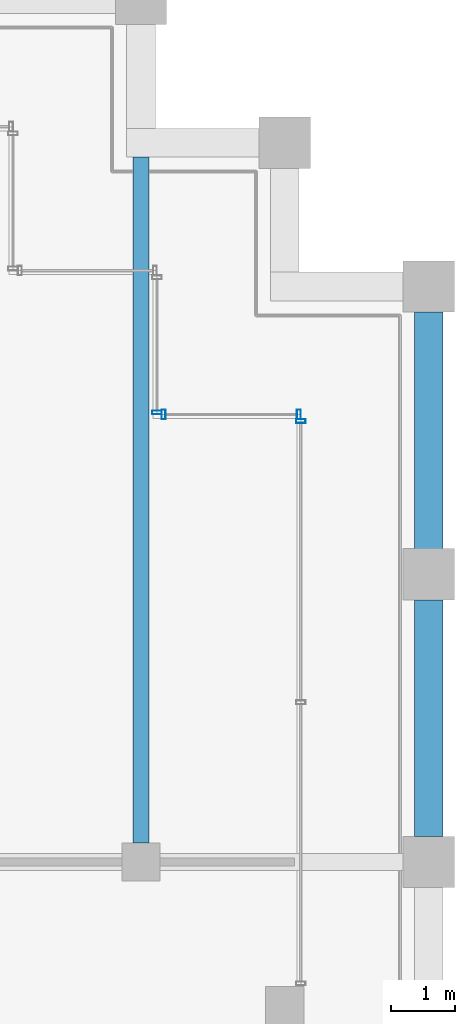
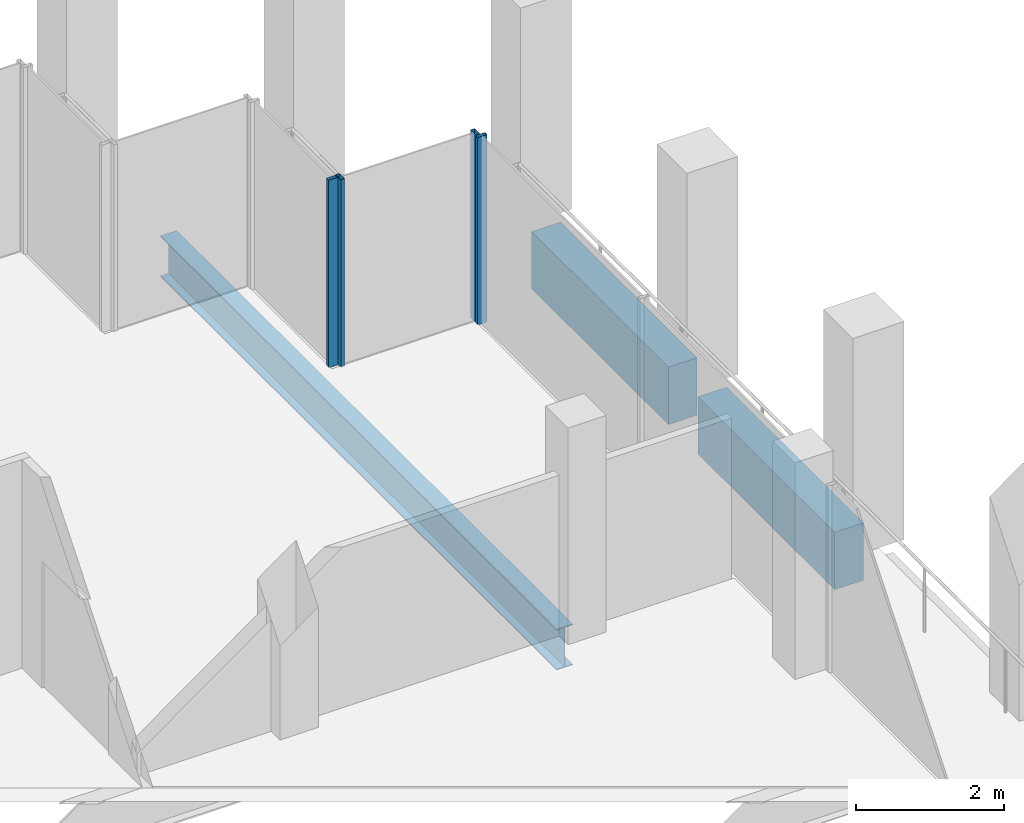
# One storey, part 25 of 30: 4 members, 3 beams, 3 elements without a shape of their own.
"""IFC4 building model written with IfcOpenShell, lengths in metres."""

from ifc_helpers import new_model, si_unit, direction, frame, origin, origin_2d, place, context, subcontext, project, spatial, rectangle, hollow_rectangle, i_section, extrude, material, material_profile, profile_set, type_object, element, aggregate, save


model = new_model("IFC4")

# Units and contexts
model_context = context("Model", 3, precision=1e-05, world=origin(), true_north=direction((0.0, 1.0)))
body_context = subcontext(model_context, "Body", "Model", "MODEL_VIEW")
ifc_project = project(units=[si_unit("LENGTHUNIT", "METRE"), si_unit("AREAUNIT", "SQUARE_METRE"), si_unit("VOLUMEUNIT", "CUBIC_METRE"), si_unit("PLANEANGLEUNIT", "RADIAN"), si_unit("MASSUNIT", "GRAM", prefix="KILO")], contexts=[model_context])

# Site, building, storey
site_placement = place(None, origin())
site = spatial("IfcSite", under=ifc_project, at=site_placement, CompositionType="ELEMENT")
building_placement = place(site_placement, origin())
building = spatial("IfcBuilding", under=site, at=building_placement, Name="Altepetl Exchange Towers", CompositionType="ELEMENT")
storey_placement = place(building_placement, frame((0.0, 0.0, 235.199951171875)))
storey = spatial("IfcBuildingStorey", under=building, at=storey_placement, Name="L60", CompositionType="ELEMENT", Elevation=235.199951171875)

# Beam
ifc_material_1 = material(Name="Steel S355", Category="steel")
ifc_material_profile_1 = material_profile(ifc_material_1, i_section(OverallWidth=0.2529296875, OverallDepth=0.677978515625, WebThickness=0.01171875, FlangeThickness=0.016357421875, at=origin_2d()), Name="W27X84")
ifc_profile_set_1 = profile_set([ifc_material_profile_1], Name="Steel S355")
beam_type_1 = type_object("IfcBeamType", Name="Floor beam W27X84", PredefinedType="BEAM", material=ifc_profile_set_1)
beam_placement = place(storey_placement, frame((67.5, 58.800048828125, -0.489013671875), z_axis=(0.0, 1.0, 0.0), x_axis=(-1.0, 0.0, 0.0)))
element("IfcBeam", 1, at=beam_placement, inside=storey, type_object=beam_type_1, Name="bm:A:L60:005", PredefinedType="BEAM", context=body_context, shape_type="SweptSolid", body=[
    extrude(i_section(OverallWidth=0.2529296875, OverallDepth=0.677978515625, WebThickness=0.01171875, FlangeThickness=0.016357421875, at=origin_2d()), origin(), (0.0, 0.0, 1.0), 10.724853515625),
])

# Curtain wall, member
ifc_material_2 = material(Name="Aluminium 6063-T6 glazing", Category="aluminium")
curtain_wall_type = type_object("IfcCurtainWallType", Name="Loggia glazing system", PredefinedType="NOTDEFINED", material=ifc_material_2)
curtain_wall_1_placement = place(storey_placement, origin())
curtain_wall_1 = element("IfcCurtainWall", 2, at=curtain_wall_1_placement, inside=storey, type_object=curtain_wall_type, Name="CW1 run", PredefinedType="NOTDEFINED")
ifc_material_3 = material(Name="Aluminium 6063-T6", Category="aluminium")
ifc_material_profile_2 = material_profile(ifc_material_3, hollow_rectangle(XDim=0.06005859375, YDim=0.14990234375, WallThickness=0.0029296875, at=origin_2d()), Name="Mullion 60x150 aluminium")
ifc_profile_set_2 = profile_set([ifc_material_profile_2], Name="Aluminium 6063-T6")
member_type = type_object("IfcMemberType", Name="Mullion 60x150 aluminium", PredefinedType="MULLION", material=ifc_profile_set_2)
member_1_placement = place(storey_placement, frame((70.0, 65.39501953125, 0.0), z_axis=(0.0, 0.0, 1.0), x_axis=(0.0, 1.0, 0.0)))
member_1 = element("IfcMember", 3, at=member_1_placement, type_object=member_type, Name="MU1 mullion", PredefinedType="MULLION", context=body_context, shape_type="SweptSolid", body=[
    extrude(hollow_rectangle(XDim=0.06005859375, YDim=0.14990234375, WallThickness=0.0029296875, at=origin_2d()), origin(), (0.0, 0.0, 1.0), 3.10009765625),
])
aggregate(curtain_wall_1, [member_1])

# Curtain wall, members
curtain_wall_2_placement = place(storey_placement, origin())
curtain_wall_2 = element("IfcCurtainWall", 4, at=curtain_wall_2_placement, inside=storey, type_object=curtain_wall_type, Name="CW1 run", PredefinedType="NOTDEFINED")
member_2_placement = place(storey_placement, frame((69.969970703125, 65.5, 0.0), z_axis=(0.0, 0.0, 1.0), x_axis=(-1.0, 0.0, 0.0)))
member_2 = element("IfcMember", 5, at=member_2_placement, type_object=member_type, Name="MU1 mullion", PredefinedType="MULLION", context=body_context, shape_type="SweptSolid", body=[
    extrude(hollow_rectangle(XDim=0.06005859375, YDim=0.14990234375, WallThickness=0.0029296875, at=origin_2d()), origin(), (0.0, 0.0, 1.0), 3.10009765625),
])
member_3_placement = place(storey_placement, frame((67.85498046875, 65.5, 0.0), z_axis=(0.0, 0.0, 1.0), x_axis=(-1.0, 0.0, 0.0)))
member_3 = element("IfcMember", 6, at=member_3_placement, type_object=member_type, Name="MU1 mullion", PredefinedType="MULLION", context=body_context, shape_type="SweptSolid", body=[
    extrude(hollow_rectangle(XDim=0.06005859375, YDim=0.14990234375, WallThickness=0.0029296875, at=origin_2d()), origin(), (0.0, 0.0, 1.0), 3.10009765625),
])
aggregate(curtain_wall_2, [member_2, member_3])

# Curtain wall, member
curtain_wall_3_placement = place(storey_placement, origin())
curtain_wall_3 = element("IfcCurtainWall", 7, at=curtain_wall_3_placement, inside=storey, type_object=curtain_wall_type, Name="CW1 run", PredefinedType="NOTDEFINED")
member_4_placement = place(storey_placement, frame((67.75, 65.530029296875, 0.0), z_axis=(0.0, 0.0, 1.0), x_axis=(0.0, 1.0, 0.0)))
member_4 = element("IfcMember", 8, at=member_4_placement, type_object=member_type, Name="MU1 mullion", PredefinedType="MULLION", context=body_context, shape_type="SweptSolid", body=[
    extrude(hollow_rectangle(XDim=0.06005859375, YDim=0.14990234375, WallThickness=0.0029296875, at=origin_2d()), origin(), (0.0, 0.0, 1.0), 3.10009765625),
])
aggregate(curtain_wall_3, [member_4])

# Beams
ifc_material_4 = material(Name="Concrete C50/60 precast with cantera rosa facing", Category="concrete")
ifc_material_profile_3 = material_profile(ifc_material_4, rectangle(XDim=0.449951171875, YDim=0.949951171875, at=origin_2d()), Name="450 x 950")
ifc_profile_set_3 = profile_set([ifc_material_profile_3], Name="Concrete C50/60 precast with cantera rosa facing")
beam_type_2 = type_object("IfcBeamType", Name="Spandrel beam 450x950 cantera rosa", PredefinedType="SPANDREL", material=ifc_profile_set_3)
for number, where, z_axis, x_axis, name in (
    (9, (72.0, 58.89990234375, -0.625), (0.0, 1.0, 0.0), (-1.0, 0.0, 0.0), "sp:A:L60:018"),
    (10, (72.0, 63.39990234375, -0.625), (0.0, 1.0, 0.0), (-1.0, 0.0, 0.0), "sp:A:L60:019"),
):
    element("IfcBeam", number, at=place(storey_placement, frame(where, z_axis=z_axis, x_axis=x_axis)), inside=storey, type_object=beam_type_2, Name=name, PredefinedType="SPANDREL", context=body_context, shape_type="SweptSolid", body=[
        extrude(rectangle(XDim=0.449951171875, YDim=0.949951171875, at=origin_2d()), origin(), (0.0, 0.0, 1.0), 3.7001953125),
    ])

save(model, "model.ifc")
